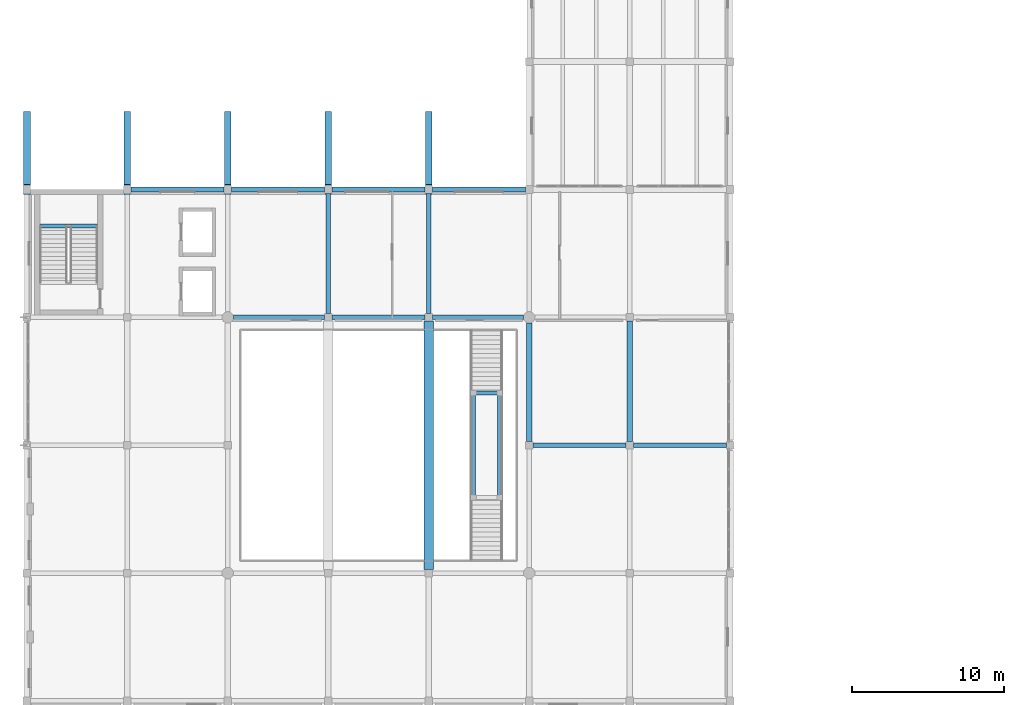
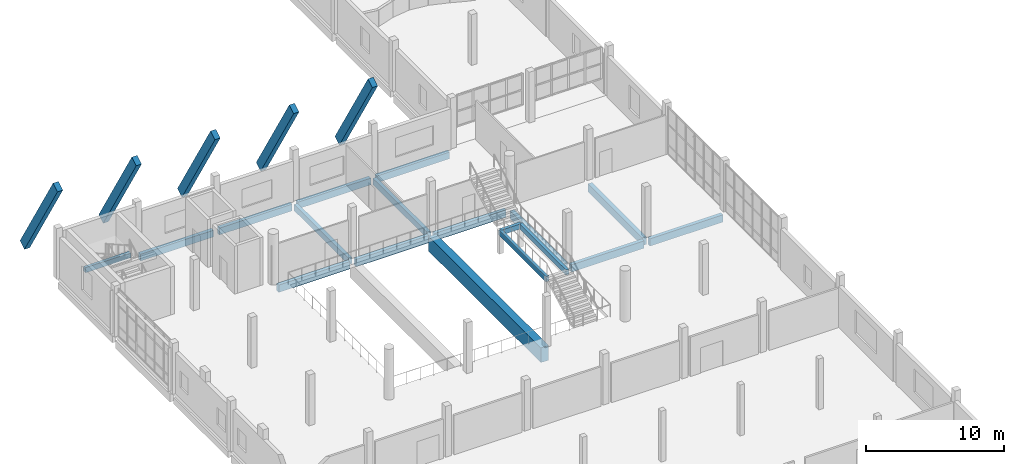
# One storey, part 6 of 76: 18 beams, 5 members.
"""IFC4 building model written with IfcOpenShell, lengths in metres."""

from ifc_helpers import new_model, si_unit, direction, frame, origin, origin_2d, place, context, subcontext, project, spatial, rectangle, extrude, material, material_profile, profile_set, type_object, element, save


model = new_model("IFC4")

# Units and contexts
model_context = context("Model", 3, precision=1e-05, world=origin(), true_north=direction((0.0, 1.0)))
body_context = subcontext(model_context, "Body", "Model", "MODEL_VIEW")
ifc_project = project(units=[si_unit("LENGTHUNIT", "METRE"), si_unit("AREAUNIT", "SQUARE_METRE"), si_unit("VOLUMEUNIT", "CUBIC_METRE"), si_unit("PLANEANGLEUNIT", "RADIAN"), si_unit("MASSUNIT", "GRAM", prefix="KILO")], contexts=[model_context])

# Site, building, storey
site_placement = place(None, origin())
site = spatial("IfcSite", under=ifc_project, at=site_placement, CompositionType="ELEMENT")
building_placement = place(site_placement, origin())
building = spatial("IfcBuilding", under=site, at=building_placement, Name="Qaldarim Faculty of Natural and Applied Sciences", CompositionType="ELEMENT")
storey_placement = place(building_placement, frame((0.0, 0.0, 9.89990234375)))
storey = spatial("IfcBuildingStorey", under=building, at=storey_placement, Name="L02", CompositionType="ELEMENT", Elevation=9.89990234375)

# Beams
ifc_material_1 = material(Name="Concrete C40/50", Category="concrete")
ifc_material_profile_1 = material_profile(ifc_material_1, rectangle(XDim=0.300048828125, YDim=0.550048828125, at=origin_2d()), Name="RC-B300x550")
ifc_profile_set_1 = profile_set([ifc_material_profile_1], Name="Concrete C40/50")
beam_type_1 = type_object("IfcBeamType", Name="FloorBeam-RC300x550", PredefinedType="BEAM", material=ifc_profile_set_1)
for number, where, z_axis, x_axis, name in (
    (1, (19.800048828125, 75.85009765625, -0.574951171875), (0.0, 1.0, 0.0), (-1.0, 0.0, 0.0), "Beam RC-B300x550 L01 X04/Y10-Y11"),
    (2, (26.39990234375, 75.85009765625, -0.574951171875), (0.0, 1.0, 0.0), (-1.0, 0.0, 0.0), "Beam RC-B300x550 L01 X05/Y10-Y11"),
):
    element("IfcBeam", number, at=place(storey_placement, frame(where, z_axis=z_axis, x_axis=x_axis)), inside=storey, type_object=beam_type_1, Name=name, PredefinedType="BEAM", context=body_context, shape_type="SweptSolid", body=[
        extrude(rectangle(XDim=0.300048828125, YDim=0.550048828125, at=origin_2d()), origin(), (0.0, 0.0, 1.0), 7.89990234375),
    ])
ifc_material_profile_2 = material_profile(ifc_material_1, rectangle(XDim=0.25, YDim=0.449951171875, at=origin_2d()), Name="RC-LN250x450")
ifc_profile_set_2 = profile_set([ifc_material_profile_2], Name="Concrete C40/50")
beam_type_2 = type_object("IfcBeamType", Name="LandingSupportBeam-RC250x450", PredefinedType="BEAM", material=ifc_profile_set_2)
beam_1_placement = place(storey_placement, frame((0.85009765625, 81.60498046875, 1.815185546875), z_axis=(1.0, 0.0, 0.0), x_axis=(0.0, 1.0, 0.0)))
element("IfcBeam", 3, at=beam_1_placement, inside=storey, type_object=beam_type_2, Name="Stair landing support beam ST-D2 L02", PredefinedType="BEAM", context=body_context, shape_type="SweptSolid", body=[
    extrude(rectangle(XDim=0.25, YDim=0.449951171875, at=origin_2d()), origin(), (0.0, 0.0, 1.0), 3.7998046875),
])
beam_2_placement = place(storey_placement, frame((29.35009765625, 70.6298828125, 1.815185546875), z_axis=(1.0, 0.0, 0.0), x_axis=(0.0, 1.0, 0.0)))
element("IfcBeam", 4, at=beam_2_placement, inside=storey, type_object=beam_type_2, Name="Open stair landing beam ST-AT1-L02 N", PredefinedType="BEAM", context=body_context, shape_type="SweptSolid", body=[
    extrude(rectangle(XDim=0.25, YDim=0.449951171875, at=origin_2d()), origin(), (0.0, 0.0, 1.0), 1.699951171875),
])
for number, where, z_axis, x_axis, name in (
    (5, (29.35009765625, 63.77001953125, 1.815185546875), (0.0, 1.0, 0.0), (-1.0, 0.0, 0.0), "Open stair landing beam ST-AT1-L02 W"),
    (6, (31.050048828125, 63.77001953125, 1.815185546875), (0.0, 1.0, 0.0), (-1.0, 0.0, 0.0), "Open stair landing beam ST-AT1-L02 E"),
):
    element("IfcBeam", number, at=place(storey_placement, frame(where, z_axis=z_axis, x_axis=x_axis)), inside=storey, type_object=beam_type_2, Name=name, PredefinedType="BEAM", context=body_context, shape_type="SweptSolid", body=[
        extrude(rectangle(XDim=0.25, YDim=0.449951171875, at=origin_2d()), origin(), (0.0, 0.0, 1.0), 6.85986328125),
    ])
ifc_material_profile_3 = material_profile(ifc_material_1, rectangle(XDim=0.300048828125, YDim=0.64990234375, at=origin_2d()), Name="RC-B300x650")
ifc_profile_set_3 = profile_set([ifc_material_profile_3], Name="Concrete C40/50")
beam_type_3 = type_object("IfcBeamType", Name="PrimaryBeam-RC300x650", PredefinedType="BEAM", material=ifc_profile_set_3)
beam_3_placement = place(storey_placement, frame((33.25, 67.199951171875, -0.625), z_axis=(1.0, 0.0, 0.0), x_axis=(0.0, 1.0, 0.0)))
element("IfcBeam", 7, at=beam_3_placement, inside=storey, type_object=beam_type_3, Name="Beam RC-B300x650 L01 X06-X07/Y09", PredefinedType="BEAM", context=body_context, shape_type="SweptSolid", body=[
    extrude(rectangle(XDim=0.300048828125, YDim=0.64990234375, at=origin_2d()), origin(), (0.0, 0.0, 1.0), 6.10009765625),
])
beam_4_placement = place(storey_placement, frame((39.85009765625, 67.199951171875, -0.625), z_axis=(1.0, 0.0, 0.0), x_axis=(0.0, 1.0, 0.0)))
element("IfcBeam", 8, at=beam_4_placement, inside=storey, type_object=beam_type_3, Name="Beam RC-B300x650 L01 X07-X08/Y09", PredefinedType="BEAM", context=body_context, shape_type="SweptSolid", body=[
    extrude(rectangle(XDim=0.300048828125, YDim=0.64990234375, at=origin_2d()), origin(), (0.0, 0.0, 1.0), 6.099853515625),
])
beam_5_placement = place(storey_placement, frame((13.574951171875, 75.60009765625, -0.625), z_axis=(1.0, 0.0, 0.0), x_axis=(0.0, 1.0, 0.0)))
element("IfcBeam", 9, at=beam_5_placement, inside=storey, type_object=beam_type_3, Name="Beam RC-B300x650 L01 X03-X04/Y10", PredefinedType="BEAM", context=body_context, shape_type="SweptSolid", body=[
    extrude(rectangle(XDim=0.300048828125, YDim=0.64990234375, at=origin_2d()), origin(), (0.0, 0.0, 1.0), 5.97509765625),
])
beam_6_placement = place(storey_placement, frame((20.050048828125, 75.60009765625, -0.625), z_axis=(1.0, 0.0, 0.0), x_axis=(0.0, 1.0, 0.0)))
element("IfcBeam", 10, at=beam_6_placement, inside=storey, type_object=beam_type_3, Name="Beam RC-B300x650 L01 X04-X05/Y10", PredefinedType="BEAM", context=body_context, shape_type="SweptSolid", body=[
    extrude(rectangle(XDim=0.300048828125, YDim=0.64990234375, at=origin_2d()), origin(), (0.0, 0.0, 1.0), 6.099853515625),
])
beam_7_placement = place(storey_placement, frame((26.64990234375, 75.60009765625, -0.625), z_axis=(1.0, 0.0, 0.0), x_axis=(0.0, 1.0, 0.0)))
element("IfcBeam", 11, at=beam_7_placement, inside=storey, type_object=beam_type_3, Name="Beam RC-B300x650 L01 X05-X06/Y10", PredefinedType="BEAM", context=body_context, shape_type="SweptSolid", body=[
    extrude(rectangle(XDim=0.300048828125, YDim=0.64990234375, at=origin_2d()), origin(), (0.0, 0.0, 1.0), 5.97509765625),
])
ifc_material_profile_4 = material_profile(ifc_material_1, rectangle(XDim=0.35009765625, YDim=0.699951171875, at=origin_2d()), Name="RC-B350x700")
ifc_profile_set_4 = profile_set([ifc_material_profile_4], Name="Concrete C40/50")
beam_type_4 = type_object("IfcBeamType", Name="PrimaryGirder-RC350x700", PredefinedType="BEAM", material=ifc_profile_set_4)
beam_8_placement = place(storey_placement, frame((33.0, 67.449951171875, -0.64990234375), z_axis=(0.0, 1.0, 0.0), x_axis=(-1.0, 0.0, 0.0)))
element("IfcBeam", 12, at=beam_8_placement, inside=storey, type_object=beam_type_4, Name="Beam RC-B350x700 L01 X06/Y09-Y10", PredefinedType="BEAM", context=body_context, shape_type="SweptSolid", body=[
    extrude(rectangle(XDim=0.35009765625, YDim=0.699951171875, at=origin_2d()), origin(), (0.0, 0.0, 1.0), 7.775146484375),
])
beam_9_placement = place(storey_placement, frame((39.60009765625, 67.449951171875, -0.64990234375), z_axis=(0.0, 1.0, 0.0), x_axis=(-1.0, 0.0, 0.0)))
element("IfcBeam", 13, at=beam_9_placement, inside=storey, type_object=beam_type_4, Name="Beam RC-B350x700 L01 X07/Y09-Y10", PredefinedType="BEAM", context=body_context, shape_type="SweptSolid", body=[
    extrude(rectangle(XDim=0.35009765625, YDim=0.699951171875, at=origin_2d()), origin(), (0.0, 0.0, 1.0), 7.900146484375),
])

# Members
ifc_material_2 = material(Name="Concrete C50/60", Category="concrete")
ifc_material_profile_5 = material_profile(ifc_material_2, rectangle(XDim=0.449951171875, YDim=0.75, at=origin_2d()), Name="RC-S450x750")
ifc_profile_set_5 = profile_set([ifc_material_profile_5], Name="Concrete C50/60")
member_type = type_object("IfcMemberType", Name="RakingButtressStrut-RC450x750", PredefinedType="STRUT", material=ifc_profile_set_5)
for number, where, z_axis, x_axis, name in (
    (14, (0.0, 88.800048828125, 0.0), (0.0, -0.514499603737, 0.857490616715), (1.0, 0.0, 0.0), "External raking shell thrust buttress North X01"),
    (15, (6.60009765625, 88.800048828125, 0.0), (0.0, -0.514499603737, 0.857490616715), (1.0, 0.0, 0.0), "External raking shell thrust buttress North X02"),
    (16, (13.199951171875, 88.800048828125, 0.0), (0.0, -0.514499603737, 0.857490616715), (1.0, 0.0, 0.0), "External raking shell thrust buttress North X03"),
    (17, (19.800048828125, 88.800048828125, 0.0), (0.0, -0.514499603737, 0.857490616715), (1.0, 0.0, 0.0), "External raking shell thrust buttress North X04"),
    (18, (26.39990234375, 88.800048828125, 0.0), (0.0, -0.514499603737, 0.857490616715), (1.0, 0.0, 0.0), "External raking shell thrust buttress North X05"),
):
    element("IfcMember", number, at=place(storey_placement, frame(where, z_axis=z_axis, x_axis=x_axis)), inside=storey, type_object=member_type, Name=name, PredefinedType="STRUT", context=body_context, shape_type="SweptSolid", body=[
        extrude(rectangle(XDim=0.449951171875, YDim=0.75, at=origin_2d()), origin(), (0.0, 0.0, 1.0), 9.32958984375),
    ])

# Beams
ifc_material_3 = material(Name="Precast concrete C40/50", Category="concrete")
ifc_material_profile_6 = material_profile(ifc_material_3, rectangle(XDim=0.300048828125, YDim=0.60009765625, at=origin_2d()), Name="RC-SP300x600")
ifc_profile_set_6 = profile_set([ifc_material_profile_6], Name="Precast concrete C40/50")
beam_type_5 = type_object("IfcBeamType", Name="SpandrelBeam-RC300x600", PredefinedType="SPANDREL", material=ifc_profile_set_6)
beam_10_placement = place(storey_placement, frame((6.85009765625, 84.0, -0.599853515625), z_axis=(1.0, 0.0, 0.0), x_axis=(0.0, 1.0, 0.0)))
element("IfcBeam", 19, at=beam_10_placement, inside=storey, type_object=beam_type_5, Name="Beam RC-SP300x600 L01 X02-X03/Y11", PredefinedType="SPANDREL", context=body_context, shape_type="SweptSolid", body=[
    extrude(rectangle(XDim=0.300048828125, YDim=0.60009765625, at=origin_2d()), origin(), (0.0, 0.0, 1.0), 6.099853515625),
])
beam_11_placement = place(storey_placement, frame((13.449951171875, 84.0, -0.599853515625), z_axis=(1.0, 0.0, 0.0), x_axis=(0.0, 1.0, 0.0)))
element("IfcBeam", 20, at=beam_11_placement, inside=storey, type_object=beam_type_5, Name="Beam RC-SP300x600 L01 X03-X04/Y11", PredefinedType="SPANDREL", context=body_context, shape_type="SweptSolid", body=[
    extrude(rectangle(XDim=0.300048828125, YDim=0.60009765625, at=origin_2d()), origin(), (0.0, 0.0, 1.0), 6.10009765625),
])
beam_12_placement = place(storey_placement, frame((20.050048828125, 84.0, -0.599853515625), z_axis=(1.0, 0.0, 0.0), x_axis=(0.0, 1.0, 0.0)))
element("IfcBeam", 21, at=beam_12_placement, inside=storey, type_object=beam_type_5, Name="Beam RC-SP300x600 L01 X04-X05/Y11", PredefinedType="SPANDREL", context=body_context, shape_type="SweptSolid", body=[
    extrude(rectangle(XDim=0.300048828125, YDim=0.60009765625, at=origin_2d()), origin(), (0.0, 0.0, 1.0), 6.099853515625),
])
beam_13_placement = place(storey_placement, frame((26.64990234375, 84.0, -0.599853515625), z_axis=(1.0, 0.0, 0.0), x_axis=(0.0, 1.0, 0.0)))
element("IfcBeam", 22, at=beam_13_placement, inside=storey, type_object=beam_type_5, Name="Beam RC-SP300x600 L01 X05-X06/Y11", PredefinedType="SPANDREL", context=body_context, shape_type="SweptSolid", body=[
    extrude(rectangle(XDim=0.300048828125, YDim=0.60009765625, at=origin_2d()), origin(), (0.0, 0.0, 1.0), 6.10009765625),
])
ifc_material_profile_7 = material_profile(ifc_material_2, rectangle(XDim=0.64990234375, YDim=1.300048828125, at=origin_2d()), Name="RC-TG650x1300")
ifc_profile_set_7 = profile_set([ifc_material_profile_7], Name="Concrete C50/60")
beam_type_6 = type_object("IfcBeamType", Name="TransferGirder-RC650x1300", PredefinedType="BEAM", material=ifc_profile_set_7)
beam_14_placement = place(storey_placement, frame((26.39990234375, 59.050048828125, -0.949951171875), z_axis=(0.0, 1.0, 0.0), x_axis=(-1.0, 0.0, 0.0)))
element("IfcBeam", 23, at=beam_14_placement, inside=storey, type_object=beam_type_6, Name="Long-span girder L01 X05 Y08-Y10", PredefinedType="BEAM", context=body_context, shape_type="SweptSolid", body=[
    extrude(rectangle(XDim=0.64990234375, YDim=1.300048828125, at=origin_2d()), origin(), (0.0, 0.0, 1.0), 16.300048828125),
])

save(model, "model.ifc")
